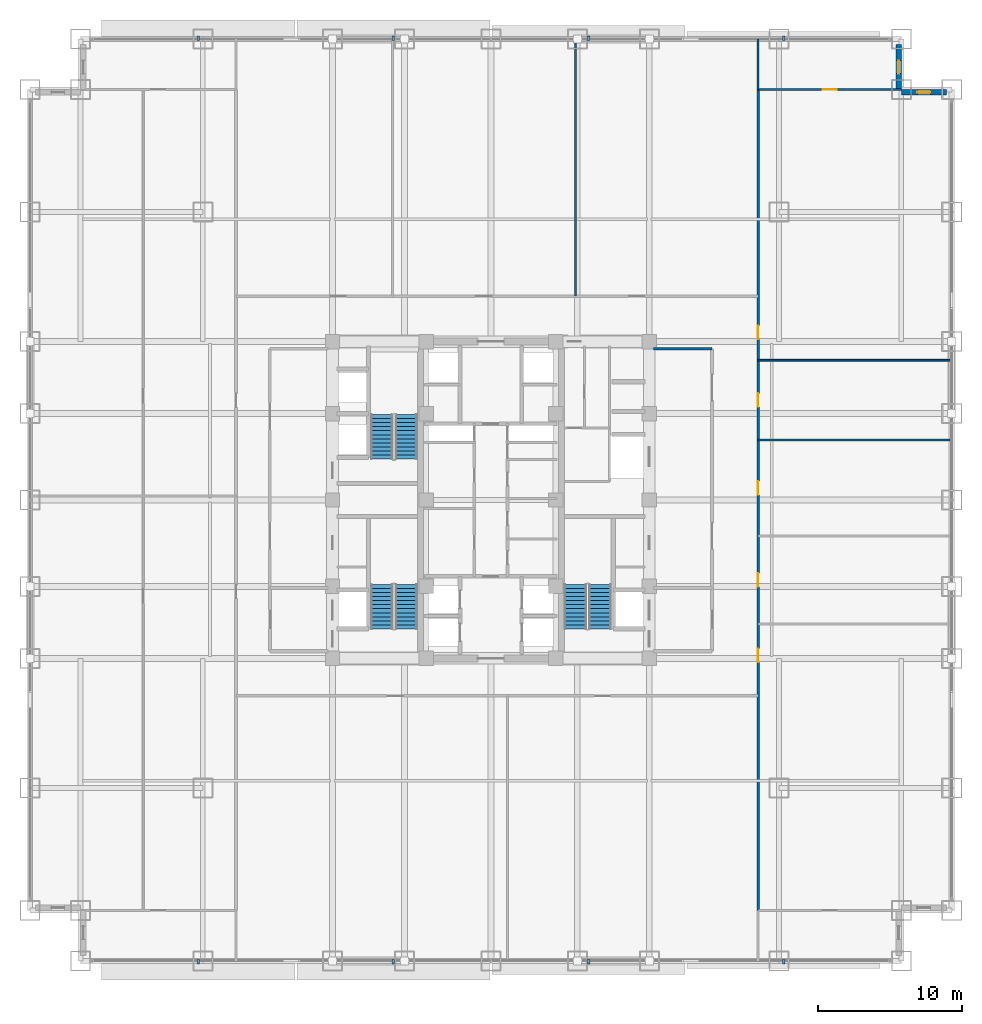
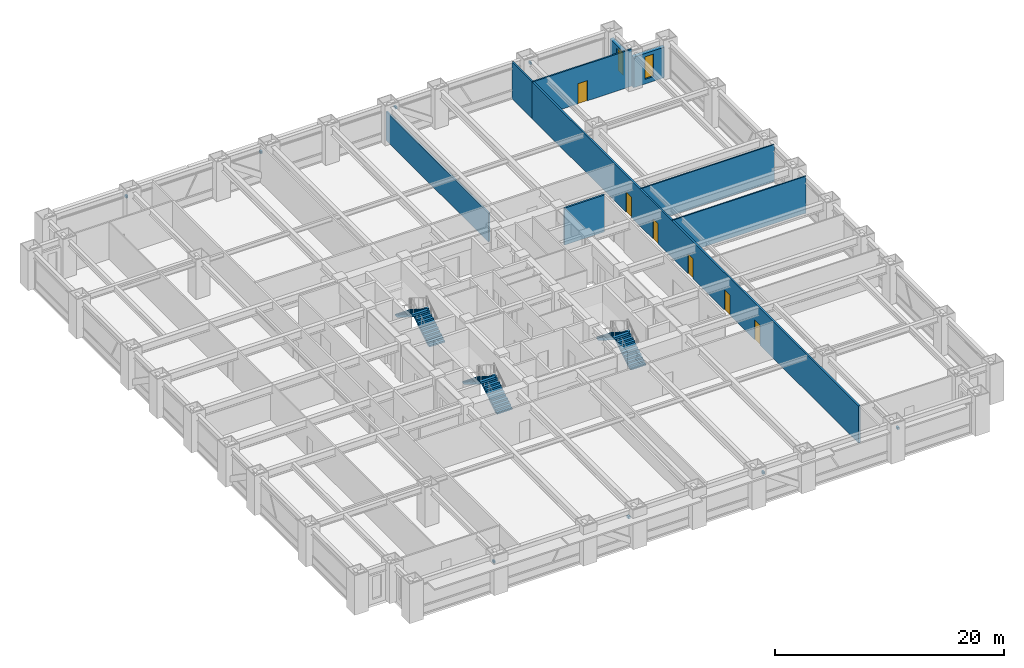
# One storey, part 27 of 32: 9 walls, 8 discrete accessories, 6 doors, 6 stair flights, 2 windows, 8 openings, 3 elements without a shape of their own.
"""IFC4 building model written with IfcOpenShell, lengths in metres."""

from ifc_helpers import new_model, si_unit, direction, frame, frame_2d, origin, origin_2d, place, context, subcontext, project, spatial, polyline, rectangle, outline, extrude, source, transform, mapped, material, layer, layer_set, type_object, element, fill, aggregate, save


model = new_model("IFC4")

# Units and contexts
model_context = context("Model", 3, precision=1e-05, world=origin(), true_north=direction((0.0, 1.0)))
body_context = subcontext(model_context, "Body", "Model", "MODEL_VIEW")
ifc_project = project(units=[si_unit("LENGTHUNIT", "METRE"), si_unit("AREAUNIT", "SQUARE_METRE"), si_unit("VOLUMEUNIT", "CUBIC_METRE"), si_unit("PLANEANGLEUNIT", "RADIAN"), si_unit("MASSUNIT", "GRAM", prefix="KILO")], contexts=[model_context])

# Site, building, storey
site_placement = place(None, origin())
site = spatial("IfcSite", under=ifc_project, at=site_placement, CompositionType="ELEMENT")
building_placement = place(site_placement, origin())
building = spatial("IfcBuilding", under=site, at=building_placement, Name="Khorayat Bourse Tower", CompositionType="ELEMENT")
storey_placement = place(building_placement, frame((0.0, 0.0, 70.39990234375)))
storey = spatial("IfcBuildingStorey", under=building, at=storey_placement, Name="L15", CompositionType="ELEMENT", Elevation=70.39990234375)

# Wall, opening, window
ifc_material_1 = material(Name="Precast concrete C45/55", Category="concrete")
ifc_layer_1 = layer(ifc_material_1, 0.3798828125)
ifc_layer_set_1 = layer_set([ifc_layer_1], Name="Precast concrete C45/55")
wall_type_1 = type_object("IfcWallType", Name="WAL-EXT-STONE-380", PredefinedType="STANDARD", material=ifc_layer_set_1)
shared_shape_1 = source(origin(), body_context, "Body", "SweptSolid", [
    extrude(rectangle(XDim=3.1201171875, YDim=0.3798828125, at=frame_2d((1.56005859375, 0.0))), origin(), (0.0, 0.0, 1.0), 3.2451171875),
])
wall_1_placement = place(storey_placement, frame((28.5, 28.31005859375, 0.0), z_axis=(0.0, 0.0, 1.0), x_axis=(1.0, 0.0, 0.0)))
wall_1 = element("IfcWall", 1, at=wall_1_placement, inside=storey, type_object=wall_type_1, Name="L15 Re-Entrant Notch Limestone Wall NE-H", PredefinedType="STANDARD", context=body_context, shape_type="MappedRepresentation", body=[
    mapped(shared_shape_1, transform((0.0, 0.0, 0.0), scale=1.0)),
])
shared_shape_2 = source(origin(), body_context, "Body", "SweptSolid", [
    extrude(rectangle(XDim=0.89990234375, YDim=2.39990234375, at=frame_2d((0.449951171875, 1.199951171875))), frame((0.0, 0.199951171875, 0.0), z_axis=(0.0, -1.0, 0.0), x_axis=(1.0, 0.0, 0.0)), (0.0, 0.0, 1.0), 0.39990234375),
])
opening_1_placement = place(wall_1_placement, frame((1.110107421875, 0.0, 0.5)))
opening_1 = element("IfcOpeningElement", 2, at=opening_1_placement, cuts=wall_1, Name="Opening WN-03", PredefinedType="OPENING", context=body_context, shape_type="MappedRepresentation", body=[
    mapped(shared_shape_2, transform((0.0, 0.0, 0.0), scale=1.0)),
])
ifc_material_2 = material(Name="Deep-reveal solar-control double glazing", Category="glass")
window_type = type_object("IfcWindowType", Name="WIN-SLOT-900x2400", PartitioningType="SINGLE_PANEL", PredefinedType="WINDOW", material=ifc_material_2)
shared_shape_3 = source(origin(), body_context, "Body", "SweptSolid", [
    extrude(rectangle(XDim=0.89990234375, YDim=2.39990234375, at=frame_2d((0.449951171875, 1.199951171875))), frame((0.0, 0.030029296875, 0.0), z_axis=(0.0, -1.0, 0.0), x_axis=(1.0, 0.0, 0.0)), (0.0, 0.0, 1.0), 0.06005859375),
])
window_1_placement = place(opening_1_placement, origin())
window_1 = element("IfcWindow", 3, at=window_1_placement, inside=storey, type_object=window_type, Name="L15 Facade Window 1", OverallHeight=2.39990234375, OverallWidth=0.89990234375, PartitioningType="SINGLE_PANEL", PredefinedType="WINDOW", context=body_context, shape_type="MappedRepresentation", body=[
    mapped(shared_shape_3, transform((0.0, 0.0, 0.0), scale=1.0)),
])
fill(opening_1, window_1)

wall_2_placement = place(storey_placement, frame((28.31005859375, 28.5, 0.0), z_axis=(0.0, 0.0, 1.0), x_axis=(0.0, 1.0, 0.0)))
wall_2 = element("IfcWall", 4, at=wall_2_placement, inside=storey, type_object=wall_type_1, Name="L15 Re-Entrant Notch Limestone Wall NE-V", PredefinedType="STANDARD", context=body_context, shape_type="MappedRepresentation", body=[
    mapped(shared_shape_1, transform((0.0, 0.0, 0.0), scale=1.0)),
])
opening_2_placement = place(wall_2_placement, frame((1.110107421875, 0.0, 0.5)))
opening_2 = element("IfcOpeningElement", 5, at=opening_2_placement, cuts=wall_2, Name="Opening WN-03", PredefinedType="OPENING", context=body_context, shape_type="MappedRepresentation", body=[
    mapped(shared_shape_2, transform((0.0, 0.0, 0.0), scale=1.0)),
])
window_2_placement = place(opening_2_placement, origin())
window_2 = element("IfcWindow", 6, at=window_2_placement, inside=storey, type_object=window_type, Name="L15 Facade Window 1", OverallHeight=2.39990234375, OverallWidth=0.89990234375, PartitioningType="SINGLE_PANEL", PredefinedType="WINDOW", context=body_context, shape_type="MappedRepresentation", body=[
    mapped(shared_shape_3, transform((0.0, 0.0, 0.0), scale=1.0)),
])
fill(opening_2, window_2)

# Walls
ifc_material_3 = material(Name="Gypsum plasterboard acoustic stud wall")
ifc_layer_2 = layer(ifc_material_3, 0.179931640625)
ifc_layer_set_2 = layer_set([ifc_layer_2], Name="Gypsum plasterboard acoustic stud wall")
wall_type_2 = type_object("IfcWallType", Name="WAL-PART-CORR-180", PredefinedType="PARTITIONING", material=ifc_layer_set_2)
shared_shape_4 = source(origin(), body_context, "Body", "SweptSolid", [
    extrude(rectangle(XDim=4.050048828125, YDim=0.179931640625, at=frame_2d((2.02490234375, 0.0))), origin(), (0.0, 0.0, 1.0), 3.940185546875),
])
wall_3_placement = place(storey_placement, frame((11.300048828125, 10.5, 0.0), z_axis=(0.0, 0.0, 1.0), x_axis=(1.0, 0.0, 0.0)))
element("IfcWall", 7, at=wall_3_placement, inside=storey, type_object=wall_type_2, Name="L15 Partition WAL-L15-ELOB-N", PredefinedType="PARTITIONING", context=body_context, shape_type="MappedRepresentation", body=[
    mapped(shared_shape_4, transform((0.0, 0.0, 0.0), scale=1.0)),
])
ifc_material_4 = material(Name="Gypsum plasterboard twin-frame partition")
ifc_layer_3 = layer(ifc_material_4, 0.14990234375)
ifc_layer_set_3 = layer_set([ifc_layer_3], Name="Gypsum plasterboard twin-frame partition")
wall_type_3 = type_object("IfcWallType", Name="WAL-PART-SUITE-150", PredefinedType="PARTITIONING", material=ifc_layer_set_3)
shared_shape_5 = source(origin(), body_context, "Body", "SweptSolid", [
    extrude(rectangle(XDim=17.85009765625, YDim=0.14990234375, at=frame_2d((8.925048828125, 0.0))), origin(), (0.0, 0.0, 1.0), 3.085205078125),
])
wall_4_placement = place(storey_placement, frame((5.862548828125, 14.14990234375, 0.0), z_axis=(0.0, 0.0, 1.0), x_axis=(0.0, 1.0, 0.0)))
element("IfcWall", 8, at=wall_4_placement, inside=storey, type_object=wall_type_3, Name="L15 Partition WAL-L15-NDV-2", PredefinedType="PARTITIONING", context=body_context, shape_type="MappedRepresentation", body=[
    mapped(shared_shape_5, transform((0.0, 0.0, 0.0), scale=1.0)),
])
shared_shape_6 = source(origin(), body_context, "Body", "SweptSolid", [
    extrude(rectangle(XDim=3.5, YDim=0.14990234375, at=frame_2d((1.75, 0.0))), origin(), (0.0, 0.0, 1.0), 3.940185546875),
])
wall_5_placement = place(storey_placement, frame((18.550048828125, 28.5, 0.0), z_axis=(0.0, 0.0, 1.0), x_axis=(0.0, 1.0, 0.0)))
element("IfcWall", 9, at=wall_5_placement, inside=storey, type_object=wall_type_3, Name="L15 Partition WAL-L15-NCE-END", PredefinedType="PARTITIONING", context=body_context, shape_type="MappedRepresentation", body=[
    mapped(shared_shape_6, transform((0.0, 0.0, 0.0), scale=1.0)),
])
ifc_material_5 = material(Name="Gypsum plasterboard partition")
ifc_layer_4 = layer(ifc_material_5, 0.125)
ifc_layer_set_4 = layer_set([ifc_layer_4], Name="Gypsum plasterboard partition")
wall_type_4 = type_object("IfcWallType", Name="WAL-PART-ROOM-125", PredefinedType="PARTITIONING", material=ifc_layer_set_4)
shared_shape_7 = source(origin(), body_context, "Body", "SweptSolid", [
    extrude(rectangle(XDim=13.449951171875, YDim=0.125, at=frame_2d((6.72509765625, 0.0))), origin(), (0.0, 0.0, 1.0), 3.940185546875),
])
for number, where, z_axis, x_axis, name in (
    (10, (18.550048828125, 4.159912109375, 0.0), (0.0, 0.0, 1.0), (1.0, 0.0, 0.0), "L15 Partition WAL-L15-EDV-3"),
    (11, (18.550048828125, 9.7099609375, 0.0), (0.0, 0.0, 1.0), (1.0, 0.0, 0.0), "L15 Partition WAL-L15-EDV-4"),
):
    element("IfcWall", number, at=place(storey_placement, frame(where, z_axis=z_axis, x_axis=x_axis)), inside=storey, type_object=wall_type_4, Name=name, PredefinedType="PARTITIONING", context=body_context, shape_type="MappedRepresentation", body=[
        mapped(shared_shape_7, transform((0.0, 0.0, 0.0), scale=1.0)),
    ])

# Wall, openings, doors
shared_shape_8 = source(origin(), body_context, "Body", "SweptSolid", [
    extrude(rectangle(XDim=57.0, YDim=0.179931640625, at=frame_2d((28.5, 0.0))), origin(), (0.0, 0.0, 1.0), 3.940185546875),
])
wall_6_placement = place(storey_placement, frame((18.550048828125, -28.5, 0.0), z_axis=(0.0, 0.0, 1.0), x_axis=(0.0, 1.0, 0.0)))
wall_6 = element("IfcWall", 12, at=wall_6_placement, inside=storey, type_object=wall_type_2, Name="L15 Partition WAL-L15-ECORR", PredefinedType="PARTITIONING", context=body_context, shape_type="MappedRepresentation", body=[
    mapped(shared_shape_8, transform((0.0, 0.0, 0.0), scale=1.0)),
])
shared_shape_9 = source(origin(), body_context, "Body", "SweptSolid", [
    extrude(rectangle(XDim=0.949951171875, YDim=2.14990234375, at=frame_2d((0.47509765625, 1.074951171875))), frame((0.0, 0.099853515625, 0.0), z_axis=(0.0, -1.0, 0.0), x_axis=(1.0, 0.0, 0.0)), (0.0, 0.0, 1.0), 0.199951171875),
])
opening_3_placement = place(wall_6_placement, frame((17.222412109375, 0.0, 0.0)))
opening_3 = element("IfcOpeningElement", 13, at=opening_3_placement, cuts=wall_6, Name="Opening DI-05", PredefinedType="OPENING", context=body_context, shape_type="MappedRepresentation", body=[
    mapped(shared_shape_9, transform((0.0, 0.0, 0.0), scale=1.0)),
])
opening_4_placement = place(wall_6_placement, frame((22.472412109375, 0.0, 0.0)))
opening_4 = element("IfcOpeningElement", 14, at=opening_4_placement, cuts=wall_6, Name="Opening DI-05", PredefinedType="OPENING", context=body_context, shape_type="MappedRepresentation", body=[
    mapped(shared_shape_9, transform((0.0, 0.0, 0.0), scale=1.0)),
])
opening_5_placement = place(wall_6_placement, frame((28.85498046875, 0.0, 0.0)))
opening_5 = element("IfcOpeningElement", 15, at=opening_5_placement, cuts=wall_6, Name="Opening DI-05", PredefinedType="OPENING", context=body_context, shape_type="MappedRepresentation", body=[
    mapped(shared_shape_9, transform((0.0, 0.0, 0.0), scale=1.0)),
])
opening_6_placement = place(wall_6_placement, frame((34.9599609375, 0.0, 0.0)))
opening_6 = element("IfcOpeningElement", 16, at=opening_6_placement, cuts=wall_6, Name="Opening DI-05", PredefinedType="OPENING", context=body_context, shape_type="MappedRepresentation", body=[
    mapped(shared_shape_9, transform((0.0, 0.0, 0.0), scale=1.0)),
])
opening_7_placement = place(wall_6_placement, frame((39.655029296875, 0.0, 0.0)))
opening_7 = element("IfcOpeningElement", 17, at=opening_7_placement, cuts=wall_6, Name="Opening DI-05", PredefinedType="OPENING", context=body_context, shape_type="MappedRepresentation", body=[
    mapped(shared_shape_9, transform((0.0, 0.0, 0.0), scale=1.0)),
])
ifc_material_6 = material(Name="Acoustic oak veneer office door")
door_type = type_object("IfcDoorType", Name="DR-INT-OFFICE-950", OperationType="NOTDEFINED", PredefinedType="DOOR", material=ifc_material_6)
shared_shape_10 = source(origin(), body_context, "Body", "SweptSolid", [
    extrude(rectangle(XDim=0.949951171875, YDim=2.14990234375, at=frame_2d((0.47509765625, 1.074951171875))), frame((0.0, 0.02490234375, 0.0), z_axis=(0.0, -1.0, 0.0), x_axis=(1.0, 0.0, 0.0)), (0.0, 0.0, 1.0), 0.050048828125),
])
door_1_placement = place(opening_3_placement, origin())
door_1 = element("IfcDoor", 18, at=door_1_placement, inside=storey, type_object=door_type, Name="L15 Clearing Records Archive Store E1 Door", OperationType="SINGLE_SWING_RIGHT", OverallHeight=2.14990234375, OverallWidth=0.949951171875, PredefinedType="DOOR", context=body_context, shape_type="MappedRepresentation", body=[
    mapped(shared_shape_10, transform((0.0, 0.0, 0.0), scale=1.0)),
])
fill(opening_3, door_1)
door_2_placement = place(opening_4_placement, origin())
door_2 = element("IfcDoor", 19, at=door_2_placement, inside=storey, type_object=door_type, Name="L15 Executive Boardroom E2 Door", OperationType="SINGLE_SWING_LEFT", OverallHeight=2.14990234375, OverallWidth=0.949951171875, PredefinedType="DOOR", context=body_context, shape_type="MappedRepresentation", body=[
    mapped(shared_shape_10, transform((0.0, 0.0, 0.0), scale=1.0)),
])
fill(opening_4, door_2)
door_3_placement = place(opening_5_placement, origin())
door_3 = element("IfcDoor", 20, at=door_3_placement, inside=storey, type_object=door_type, Name="L15 Issuer Listing Showroom E3 Door", OperationType="SINGLE_SWING_RIGHT", OverallHeight=2.14990234375, OverallWidth=0.949951171875, PredefinedType="DOOR", context=body_context, shape_type="MappedRepresentation", body=[
    mapped(shared_shape_10, transform((0.0, 0.0, 0.0), scale=1.0)),
])
fill(opening_5, door_3)
door_4_placement = place(opening_6_placement, origin())
door_4 = element("IfcDoor", 21, at=door_4_placement, inside=storey, type_object=door_type, Name="L15 Brokerage Member Kiosk E4 Door", OperationType="SINGLE_SWING_LEFT", OverallHeight=2.14990234375, OverallWidth=0.949951171875, PredefinedType="DOOR", context=body_context, shape_type="MappedRepresentation", body=[
    mapped(shared_shape_10, transform((0.0, 0.0, 0.0), scale=1.0)),
])
fill(opening_6, door_4)
door_5_placement = place(opening_7_placement, origin())
door_5 = element("IfcDoor", 22, at=door_5_placement, inside=storey, type_object=door_type, Name="L15 Issuer Listing Showroom E5 Door", OperationType="SINGLE_SWING_RIGHT", OverallHeight=2.14990234375, OverallWidth=0.949951171875, PredefinedType="DOOR", context=body_context, shape_type="MappedRepresentation", body=[
    mapped(shared_shape_10, transform((0.0, 0.0, 0.0), scale=1.0)),
])
fill(opening_7, door_5)

# Wall, opening, door
shared_shape_11 = source(origin(), body_context, "Body", "SweptSolid", [
    extrude(rectangle(XDim=9.949951171875, YDim=0.14990234375, at=frame_2d((4.97509765625, 0.0))), origin(), (0.0, 0.0, 1.0), 3.940185546875),
])
wall_7_placement = place(storey_placement, frame((18.550048828125, 28.5, 0.0), z_axis=(0.0, 0.0, 1.0), x_axis=(1.0, 0.0, 0.0)))
wall_7 = element("IfcWall", 23, at=wall_7_placement, inside=storey, type_object=wall_type_3, Name="L15 Partition WAL-L15-CNE", PredefinedType="PARTITIONING", context=body_context, shape_type="MappedRepresentation", body=[
    mapped(shared_shape_11, transform((0.0, 0.0, 0.0), scale=1.0)),
])
shared_shape_12 = source(origin(), body_context, "Body", "SweptSolid", [
    extrude(rectangle(XDim=0.949951171875, YDim=2.14990234375, at=frame_2d((0.47509765625, 1.074951171875))), frame((0.0, 0.0849609375, 0.0), z_axis=(0.0, -1.0, 0.0), x_axis=(1.0, 0.0, 0.0)), (0.0, 0.0, 1.0), 0.169921875),
])
opening_8_placement = place(wall_7_placement, frame((4.5, 0.0, 0.0)))
opening_8 = element("IfcOpeningElement", 24, at=opening_8_placement, cuts=wall_7, Name="Opening DI-05", PredefinedType="OPENING", context=body_context, shape_type="MappedRepresentation", body=[
    mapped(shared_shape_12, transform((0.0, 0.0, 0.0), scale=1.0)),
])
door_6_placement = place(opening_8_placement, origin())
door_6 = element("IfcDoor", 25, at=door_6_placement, inside=storey, type_object=door_type, Name="L15 North-East Corner Lounge Door", OperationType="SINGLE_SWING_LEFT", OverallHeight=2.14990234375, OverallWidth=0.949951171875, PredefinedType="DOOR", context=body_context, shape_type="MappedRepresentation", body=[
    mapped(shared_shape_10, transform((0.0, 0.0, 0.0), scale=1.0)),
])
fill(opening_8, door_6)

# Stair, stair flights
ifc_material_7 = material(Name="Concrete C40/50", Category="concrete")
stair_type = type_object("IfcStairType", Name="STR-CORE-1550", PredefinedType="HALF_TURN_STAIR", material=ifc_material_7)
stair_1_placement = place(storey_placement, origin())
stair_1 = element("IfcStair", 26, at=stair_1_placement, inside=storey, type_object=stair_type, Name="L15 Exit Stair ST-1", PredefinedType="HALF_TURN_STAIR")
stair_flight_type = type_object("IfcStairFlightType", Name="FLT-CORE-1550", PredefinedType="STRAIGHT", material=ifc_material_7)
shared_shape_13 = source(origin(), body_context, "Body", "SweptSolid", [
    extrude(outline(polyline([(0.0, 0.0), (0.0, 0.175048828125), (0.280029296875, 0.175048828125), (0.280029296875, 0.35009765625), (0.56005859375, 0.35009765625), (0.56005859375, 0.52490234375), (0.840087890625, 0.52490234375), (0.840087890625, 0.699951171875), (1.1201171875, 0.699951171875), (1.1201171875, 0.875), (1.39990234375, 0.875), (1.39990234375, 1.050048828125), (1.679931640625, 1.050048828125), (1.679931640625, 1.22509765625), (1.9599609375, 1.22509765625), (1.9599609375, 1.39990234375), (2.239990234375, 1.39990234375), (2.239990234375, 1.574951171875), (2.52001953125, 1.574951171875), (2.52001953125, 1.75), (2.800048828125, 1.75), (2.800048828125, 1.925048828125), (3.080078125, 1.925048828125), (3.080078125, 2.10009765625), (3.080078125, 1.712890625), (0.339599609375, 0.0), (0.0, 0.0)])), frame((0.0, 0.77490234375, 0.0), z_axis=(0.0, -1.0, 0.0), x_axis=(1.0, 0.0, 0.0)), (0.0, 0.0, 1.0), 1.550048828125),
])
stair_flight_1_placement = place(storey_placement, frame((-5.875, -8.949951171875, 0.0), z_axis=(0.0, 0.0, 1.0), x_axis=(0.0, 1.0, 0.0)))
stair_flight_1 = element("IfcStairFlight", 27, at=stair_flight_1_placement, type_object=stair_flight_type, Name="ST-1 flight 1", NumberOfRisers=12, NumberOfTreads=11, PredefinedType="STRAIGHT", RiserHeight=0.175, TreadLength=0.28, context=body_context, shape_type="MappedRepresentation", body=[
    mapped(shared_shape_13, transform((0.0, 0.0, 0.0), scale=1.0)),
])
stair_flight_2_placement = place(storey_placement, frame((-7.574951171875, -5.8701171875, 2.10009765625), z_axis=(0.0, 0.0, 1.0), x_axis=(0.0, -1.0, 0.0)))
stair_flight_2 = element("IfcStairFlight", 28, at=stair_flight_2_placement, type_object=stair_flight_type, Name="ST-1 flight 2", NumberOfRisers=12, NumberOfTreads=11, PredefinedType="STRAIGHT", RiserHeight=0.175, TreadLength=0.28, context=body_context, shape_type="MappedRepresentation", body=[
    mapped(shared_shape_13, transform((0.0, 0.0, 0.0), scale=1.0)),
])
aggregate(stair_1, [stair_flight_1, stair_flight_2])

stair_2_placement = place(storey_placement, origin())
stair_2 = element("IfcStair", 29, at=stair_2_placement, inside=storey, type_object=stair_type, Name="L15 Exit Stair ST-2", PredefinedType="HALF_TURN_STAIR")
stair_flight_3_placement = place(storey_placement, frame((-5.875, 2.85009765625, 0.0), z_axis=(0.0, 0.0, 1.0), x_axis=(0.0, 1.0, 0.0)))
stair_flight_3 = element("IfcStairFlight", 30, at=stair_flight_3_placement, type_object=stair_flight_type, Name="ST-2 flight 1", NumberOfRisers=12, NumberOfTreads=11, PredefinedType="STRAIGHT", RiserHeight=0.175, TreadLength=0.28, context=body_context, shape_type="MappedRepresentation", body=[
    mapped(shared_shape_13, transform((0.0, 0.0, 0.0), scale=1.0)),
])
stair_flight_4_placement = place(storey_placement, frame((-7.574951171875, 5.929931640625, 2.10009765625), z_axis=(0.0, 0.0, 1.0), x_axis=(0.0, -1.0, 0.0)))
stair_flight_4 = element("IfcStairFlight", 31, at=stair_flight_4_placement, type_object=stair_flight_type, Name="ST-2 flight 2", NumberOfRisers=12, NumberOfTreads=11, PredefinedType="STRAIGHT", RiserHeight=0.175, TreadLength=0.28, context=body_context, shape_type="MappedRepresentation", body=[
    mapped(shared_shape_13, transform((0.0, 0.0, 0.0), scale=1.0)),
])
aggregate(stair_2, [stair_flight_3, stair_flight_4])

stair_3_placement = place(storey_placement, origin())
stair_3 = element("IfcStair", 32, at=stair_3_placement, inside=storey, type_object=stair_type, Name="L15 Exit Stair ST-3", PredefinedType="HALF_TURN_STAIR")
stair_flight_5_placement = place(storey_placement, frame((7.574951171875, -8.949951171875, 0.0), z_axis=(0.0, 0.0, 1.0), x_axis=(0.0, 1.0, 0.0)))
stair_flight_5 = element("IfcStairFlight", 33, at=stair_flight_5_placement, type_object=stair_flight_type, Name="ST-3 flight 1", NumberOfRisers=12, NumberOfTreads=11, PredefinedType="STRAIGHT", RiserHeight=0.175, TreadLength=0.28, context=body_context, shape_type="MappedRepresentation", body=[
    mapped(shared_shape_13, transform((0.0, 0.0, 0.0), scale=1.0)),
])
stair_flight_6_placement = place(storey_placement, frame((5.875, -5.8701171875, 2.10009765625), z_axis=(0.0, 0.0, 1.0), x_axis=(0.0, -1.0, 0.0)))
stair_flight_6 = element("IfcStairFlight", 34, at=stair_flight_6_placement, type_object=stair_flight_type, Name="ST-3 flight 2", NumberOfRisers=12, NumberOfTreads=11, PredefinedType="STRAIGHT", RiserHeight=0.175, TreadLength=0.28, context=body_context, shape_type="MappedRepresentation", body=[
    mapped(shared_shape_13, transform((0.0, 0.0, 0.0), scale=1.0)),
])
aggregate(stair_3, [stair_flight_5, stair_flight_6])

# Discrete accessories
ifc_material_8 = material(Name="Steel EN 10025-2 S355J2", Category="steel")
discrete_accessory_type = type_object("IfcDiscreteAccessoryType", Name="ACC-SHADE-BRACKET", PredefinedType="BRACKET", material=ifc_material_8)
shared_shape_14 = source(origin(), body_context, "Body", "SweptSolid", [
    extrude(rectangle(XDim=0.179931640625, YDim=0.300048828125, at=origin_2d()), origin(), (0.0, 0.0, 1.0), 0.239990234375),
])
for number, where, z_axis, x_axis, name in (
    (35, (-20.324951171875, -32.06005859375, 3.0400390625), (0.0, 0.0, 1.0), (1.0, 0.0, 0.0), "L15 Sunshade Support Bracket S-1"),
    (36, (-6.77490234375, -32.06005859375, 3.0400390625), (0.0, 0.0, 1.0), (1.0, 0.0, 0.0), "L15 Sunshade Support Bracket S-2"),
    (37, (6.77490234375, -32.06005859375, 3.0400390625), (0.0, 0.0, 1.0), (1.0, 0.0, 0.0), "L15 Sunshade Support Bracket S-3"),
    (38, (20.324951171875, -32.06005859375, 3.0400390625), (0.0, 0.0, 1.0), (1.0, 0.0, 0.0), "L15 Sunshade Support Bracket S-4"),
    (39, (-20.324951171875, 32.06005859375, 3.0400390625), (0.0, 0.0, 1.0), (1.0, 0.0, 0.0), "L15 Sunshade Support Bracket N-1"),
    (40, (-6.77490234375, 32.06005859375, 3.0400390625), (0.0, 0.0, 1.0), (1.0, 0.0, 0.0), "L15 Sunshade Support Bracket N-2"),
    (41, (6.77490234375, 32.06005859375, 3.0400390625), (0.0, 0.0, 1.0), (1.0, 0.0, 0.0), "L15 Sunshade Support Bracket N-3"),
    (42, (20.324951171875, 32.06005859375, 3.0400390625), (0.0, 0.0, 1.0), (1.0, 0.0, 0.0), "L15 Sunshade Support Bracket N-4"),
):
    element("IfcDiscreteAccessory", number, at=place(storey_placement, frame(where, z_axis=z_axis, x_axis=x_axis)), inside=storey, type_object=discrete_accessory_type, Name=name, PredefinedType="BRACKET", context=body_context, shape_type="MappedRepresentation", body=[
        mapped(shared_shape_14, transform((0.0, 0.0, 0.0), scale=1.0)),
    ])

save(model, "model.ifc")
